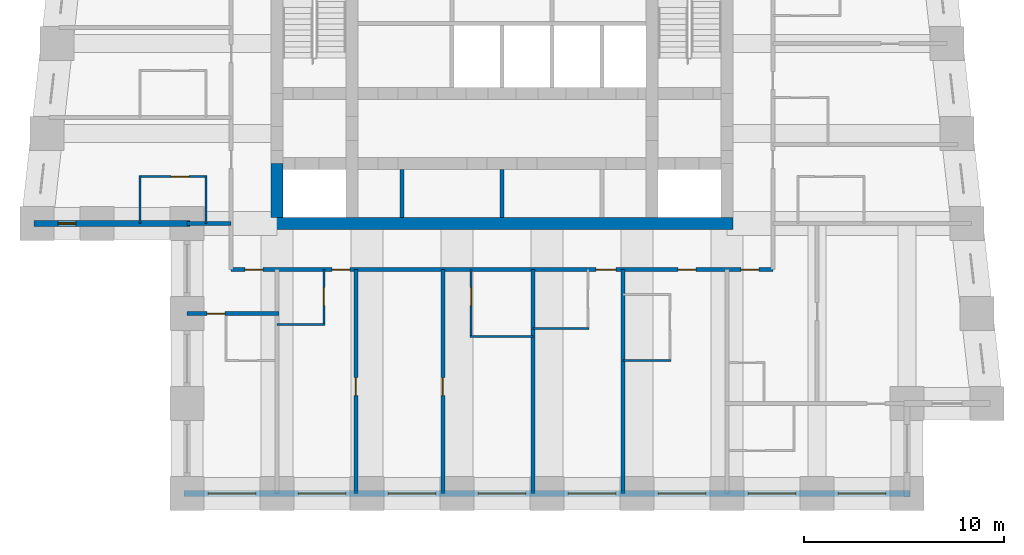
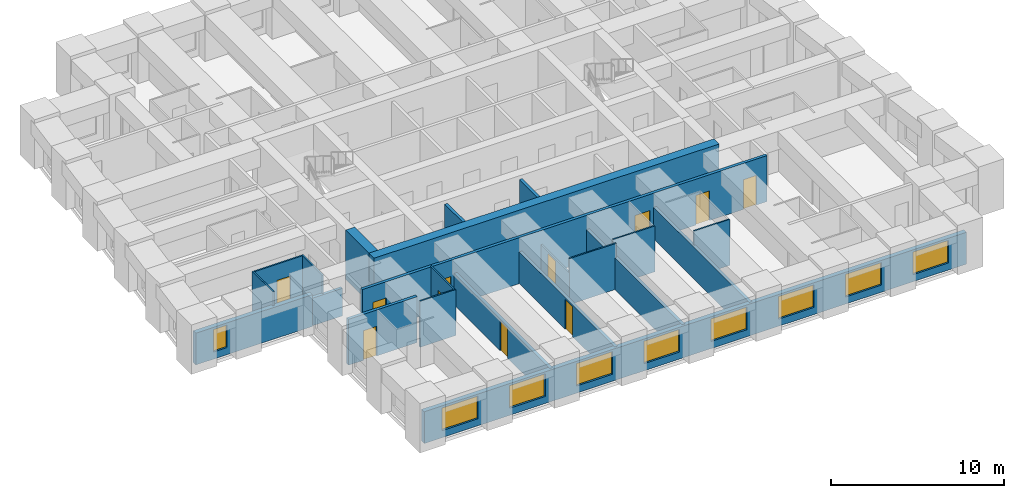
# One storey, part 2 of 8: 22 walls, 11 doors, 9 windows, 20 openings.
"""IFC4 building model written with IfcOpenShell, lengths in metres."""

from ifc_helpers import new_model, si_unit, direction, frame, frame_2d, origin, place, context, subcontext, project, spatial, rectangle, extrude, material, layer, layer_set, type_object, element, fill, save


model = new_model("IFC4")

# Units and contexts
model_context = context("Model", 3, precision=1e-05, world=origin(), true_north=direction((0.0, 1.0)))
body_context = subcontext(model_context, "Body", "Model", "MODEL_VIEW")
ifc_project = project(units=[si_unit("LENGTHUNIT", "METRE"), si_unit("AREAUNIT", "SQUARE_METRE"), si_unit("VOLUMEUNIT", "CUBIC_METRE"), si_unit("PLANEANGLEUNIT", "RADIAN"), si_unit("MASSUNIT", "GRAM", prefix="KILO")], contexts=[model_context])

# Site, building, storey
site_placement = place(None, origin())
site = spatial("IfcSite", under=ifc_project, at=site_placement, CompositionType="ELEMENT")
building_placement = place(site_placement, origin())
building = spatial("IfcBuilding", under=site, at=building_placement, Name="Kilele Tower Hotel", CompositionType="ELEMENT")
storey_placement = place(building_placement, frame((0.0, 0.0, 193.89990234375)))
storey = spatial("IfcBuildingStorey", under=building, at=storey_placement, Name="L50", CompositionType="ELEMENT", Elevation=193.89990234375)

# Wall
ifc_material_1 = material(Name="Moisture-resistant board")
ifc_layer_1 = layer(ifc_material_1, 0.10009765625)
ifc_layer_set_1 = layer_set([ifc_layer_1], Name="Moisture-resistant board")
wall_type_1 = type_object("IfcWallType", Name="Bathroom partition 100", PredefinedType="PLUMBINGWALL", material=ifc_layer_set_1)
wall_1_placement = place(storey_placement, frame((13.5, 8.449951171875, 0.0), z_axis=(0.0, 0.0, 1.0), x_axis=(1.0, 0.0, 0.0)))
element("IfcWall", 1, at=wall_1_placement, inside=storey, type_object=wall_type_1, Name="Bathroom partition 100 L50", PredefinedType="PLUMBINGWALL", context=body_context, shape_type="SweptSolid", body=[
    extrude(rectangle(XDim=2.39990234375, YDim=0.10009765625, at=frame_2d((1.199951171875, 0.0))), origin(), (0.0, 0.0, 1.0), 3.25),
])

# Wall, opening, door
wall_2_placement = place(storey_placement, frame((15.85009765625, 11.199951171875, 0.0), z_axis=(0.0, 0.0, 1.0), x_axis=(0.0, -1.0, 0.0)))
wall_2 = element("IfcWall", 2, at=wall_2_placement, inside=storey, type_object=wall_type_1, Name="Bathroom partition 100 L50", PredefinedType="PLUMBINGWALL", context=body_context, shape_type="SweptSolid", body=[
    extrude(rectangle(XDim=2.800048828125, YDim=0.10009765625, at=frame_2d((1.39990234375, 0.0))), origin(), (0.0, 0.0, 1.0), 3.25),
])
opening_1_placement = place(wall_2_placement, frame((0.89990234375, 0.0, 0.0)))
opening_1 = element("IfcOpeningElement", 3, at=opening_1_placement, cuts=wall_2, Name="Opening D2A", PredefinedType="OPENING", context=body_context, shape_type="SweptSolid", body=[
    extrude(rectangle(XDim=0.89990234375, YDim=2.10009765625, at=frame_2d((0.449951171875, 1.050048828125))), frame((0.0, 0.06005859375, 0.0), z_axis=(0.0, -1.0, 0.0), x_axis=(1.0, 0.0, 0.0)), (0.0, 0.0, 1.0), 0.1201171875),
])
ifc_material_2 = material(Name="Timber door leaf in hardwood frame", Category="wood")
door_type_1 = type_object("IfcDoorType", Name="Bathroom door 900", OperationType="SINGLE_SWING_LEFT", PredefinedType="DOOR", material=ifc_material_2)
door_1_placement = place(opening_1_placement, origin())
door_1 = element("IfcDoor", 4, at=door_1_placement, inside=storey, type_object=door_type_1, Name="Bathroom door 5001B", OperationType="SINGLE_SWING_LEFT", OverallHeight=2.10009765625, OverallWidth=0.89990234375, PredefinedType="DOOR", context=body_context, shape_type="SweptSolid", body=[
    extrude(rectangle(XDim=0.89990234375, YDim=2.10009765625, at=frame_2d((0.449951171875, 1.050048828125))), frame((0.0, 0.02490234375, 0.0), z_axis=(0.0, -1.0, 0.0), x_axis=(1.0, 0.0, 0.0)), (0.0, 0.0, 1.0), 0.050048828125),
])
fill(opening_1, door_1)

# Wall
wall_3_placement = place(storey_placement, frame((23.14990234375, 7.85009765625, 0.0), z_axis=(0.0, 0.0, 1.0), x_axis=(1.0, 0.0, 0.0)))
element("IfcWall", 5, at=wall_3_placement, inside=storey, type_object=wall_type_1, Name="Bathroom partition 100 L50", PredefinedType="PLUMBINGWALL", context=body_context, shape_type="SweptSolid", body=[
    extrude(rectangle(XDim=3.150146484375, YDim=0.10009765625, at=frame_2d((1.5751953125, 0.0))), origin(), (0.0, 0.0, 1.0), 3.25),
])

# Wall, opening, door
wall_4_placement = place(storey_placement, frame((23.199951171875, 11.199951171875, 0.0), z_axis=(0.0, 0.0, 1.0), x_axis=(0.0, -1.0, 0.0)))
wall_4 = element("IfcWall", 6, at=wall_4_placement, inside=storey, type_object=wall_type_1, Name="Bathroom partition 100 L50", PredefinedType="PLUMBINGWALL", context=body_context, shape_type="SweptSolid", body=[
    extrude(rectangle(XDim=3.39990234375, YDim=0.10009765625, at=frame_2d((1.699951171875, 0.0))), origin(), (0.0, 0.0, 1.0), 2.25),
])
opening_2_placement = place(wall_4_placement, frame((1.7998046875, 0.0, 0.0), z_axis=(0.0, 0.0, 1.0), x_axis=(-1.0, 0.0, 0.0)))
opening_2 = element("IfcOpeningElement", 7, at=opening_2_placement, cuts=wall_4, Name="Opening D2A", PredefinedType="OPENING", context=body_context, shape_type="SweptSolid", body=[
    extrude(rectangle(XDim=0.89990234375, YDim=2.10009765625, at=frame_2d((0.449951171875, 1.050048828125))), frame((0.0, 0.06005859375, 0.0), z_axis=(0.0, -1.0, 0.0), x_axis=(1.0, 0.0, 0.0)), (0.0, 0.0, 1.0), 0.1201171875),
])
door_2_placement = place(opening_2_placement, origin())
door_2 = element("IfcDoor", 8, at=door_2_placement, inside=storey, type_object=door_type_1, Name="Bathroom door 5003B", OperationType="SINGLE_SWING_RIGHT", OverallHeight=2.10009765625, OverallWidth=0.89990234375, PredefinedType="DOOR", context=body_context, shape_type="SweptSolid", body=[
    extrude(rectangle(XDim=0.89990234375, YDim=2.10009765625, at=frame_2d((0.449951171875, 1.050048828125))), frame((0.0, 0.02490234375, 0.0), z_axis=(0.0, -1.0, 0.0), x_axis=(1.0, 0.0, 0.0)), (0.0, 0.0, 1.0), 0.050048828125),
])
fill(opening_2, door_2)

# Walls
wall_5_placement = place(storey_placement, frame((26.300048828125, 8.25, 0.0), z_axis=(0.0, 0.0, 1.0), x_axis=(1.0, 0.0, 0.0)))
element("IfcWall", 9, at=wall_5_placement, inside=storey, type_object=wall_type_1, Name="Bathroom partition 100 L50", PredefinedType="PLUMBINGWALL", context=body_context, shape_type="SweptSolid", body=[
    extrude(rectangle(XDim=2.800048828125, YDim=0.10009765625, at=frame_2d((1.39990234375, 0.0))), origin(), (0.0, 0.0, 1.0), 3.25),
])
for number, where, z_axis, x_axis, name in (
    (10, (30.800048828125, 6.64990234375, 0.0), (0.0, 0.0, 1.0), (1.0, 0.0, 0.0), "Bathroom partition 100 L50"),
    (11, (9.949951171875, 13.5, 0.0), (0.0, 0.0, 1.0), (0.0, 1.0, 0.0), "Bathroom partition 100 L50"),
    (12, (6.64990234375, 13.5, 0.0), (0.0, 0.0, 1.0), (0.0, 1.0, 0.0), "Bathroom partition 100 L50"),
):
    element("IfcWall", number, at=place(storey_placement, frame(where, z_axis=z_axis, x_axis=x_axis)), inside=storey, type_object=wall_type_1, Name=name, PredefinedType="PLUMBINGWALL", context=body_context, shape_type="SweptSolid", body=[
        extrude(rectangle(XDim=2.39990234375, YDim=0.10009765625, at=frame_2d((1.199951171875, 0.0))), origin(), (0.0, 0.0, 1.0), 3.25),
    ])

# Wall, opening, door
wall_6_placement = place(storey_placement, frame((10.0, 15.85009765625, 0.0), z_axis=(0.0, 0.0, 1.0), x_axis=(-1.0, 0.0, 0.0)))
wall_6 = element("IfcWall", 13, at=wall_6_placement, inside=storey, type_object=wall_type_1, Name="Bathroom partition 100 L50", PredefinedType="PLUMBINGWALL", context=body_context, shape_type="SweptSolid", body=[
    extrude(rectangle(XDim=3.39990234375, YDim=0.10009765625, at=frame_2d((1.699951171875, 0.0))), origin(), (0.0, 0.0, 1.0), 3.25),
])
opening_3_placement = place(wall_6_placement, frame((1.7998046875, 0.0, 0.0), z_axis=(0.0, 0.0, 1.0), x_axis=(-1.0, 0.0, 0.0)))
opening_3 = element("IfcOpeningElement", 14, at=opening_3_placement, cuts=wall_6, Name="Opening D2A", PredefinedType="OPENING", context=body_context, shape_type="SweptSolid", body=[
    extrude(rectangle(XDim=0.89990234375, YDim=2.10009765625, at=frame_2d((0.449951171875, 1.050048828125))), frame((0.0, 0.06005859375, 0.0), z_axis=(0.0, -1.0, 0.0), x_axis=(1.0, 0.0, 0.0)), (0.0, 0.0, 1.0), 0.1201171875),
])
door_3_placement = place(opening_3_placement, origin())
door_3 = element("IfcDoor", 15, at=door_3_placement, inside=storey, type_object=door_type_1, Name="Bathroom door 5014B", OperationType="SINGLE_SWING_RIGHT", OverallHeight=2.10009765625, OverallWidth=0.89990234375, PredefinedType="DOOR", context=body_context, shape_type="SweptSolid", body=[
    extrude(rectangle(XDim=0.89990234375, YDim=2.10009765625, at=frame_2d((0.449951171875, 1.050048828125))), frame((0.0, 0.02490234375, 0.0), z_axis=(0.0, -1.0, 0.0), x_axis=(1.0, 0.0, 0.0)), (0.0, 0.0, 1.0), 0.050048828125),
])
fill(opening_3, door_3)

# Walls
ifc_material_3 = material(Name="Concrete C70/85", Category="concrete")
ifc_layer_2 = layer(ifc_material_3, 0.60009765625)
ifc_layer_set_2 = layer_set([ifc_layer_2], Name="Concrete C70/85")
wall_type_2 = type_object("IfcWallType", Name="Core wall 600 C70/85", PredefinedType="SHEAR", material=ifc_layer_set_2)
wall_7_placement = place(storey_placement, frame((13.199951171875, 13.5, 0.0), z_axis=(0.0, 0.0, 1.0), x_axis=(1.0, 0.0, 0.0)))
element("IfcWall", 16, at=wall_7_placement, inside=storey, type_object=wall_type_2, Name="Core wall S L50", PredefinedType="SHEAR", context=body_context, shape_type="SweptSolid", body=[
    extrude(rectangle(XDim=23.10009765625, YDim=0.60009765625, at=frame_2d((11.550048828125, 0.0))), origin(), (0.0, 0.0, 1.0), 3.5),
])
wall_8_placement = place(storey_placement, frame((13.5, 16.5, 0.0), z_axis=(0.0, 0.0, 1.0), x_axis=(0.0, -1.0, 0.0)))
element("IfcWall", 17, at=wall_8_placement, inside=storey, type_object=wall_type_2, Name="Core wall W3 L50", PredefinedType="SHEAR", context=body_context, shape_type="SweptSolid", body=[
    extrude(rectangle(XDim=2.699951171875, YDim=0.60009765625, at=frame_2d((1.35009765625, 0.0))), origin(), (0.0, 0.0, 1.0), 3.5),
])

# Wall, openings, doors
ifc_material_4 = material(Name="Blockwork, plastered both sides", Category="masonry")
ifc_layer_3 = layer(ifc_material_4, 0.199951171875)
ifc_layer_set_3 = layer_set([ifc_layer_3], Name="Blockwork, plastered both sides")
wall_type_3 = type_object("IfcWallType", Name="Corridor wall 200", PredefinedType="PARTITIONING", material=ifc_layer_set_3)
wall_9_placement = place(storey_placement, frame((11.199951171875, 11.199951171875, 0.0), z_axis=(0.0, 0.0, 1.0), x_axis=(1.0, 0.0, 0.0)))
wall_9 = element("IfcWall", 18, at=wall_9_placement, inside=storey, type_object=wall_type_3, Name="Corridor wall 200 L50", PredefinedType="PARTITIONING", context=body_context, shape_type="SweptSolid", body=[
    extrude(rectangle(XDim=27.10009765625, YDim=0.199951171875, at=frame_2d((13.550048828125, 0.0))), origin(), (0.0, 0.0, 1.0), 3.25),
])
opening_4_placement = place(wall_9_placement, frame((5.949951171875, 0.0, 0.0), z_axis=(0.0, 0.0, 1.0), x_axis=(-1.0, 0.0, 0.0)))
opening_4 = element("IfcOpeningElement", 19, at=opening_4_placement, cuts=wall_9, Name="Opening D1", PredefinedType="OPENING", context=body_context, shape_type="SweptSolid", body=[
    extrude(rectangle(XDim=0.89990234375, YDim=2.10009765625, at=frame_2d((0.449951171875, 1.050048828125))), frame((0.0, 0.10986328125, 0.0), z_axis=(0.0, -1.0, 0.0), x_axis=(1.0, 0.0, 0.0)), (0.0, 0.0, 1.0), 0.219970703125),
])
opening_5_placement = place(wall_9_placement, frame((19.25, 0.0, 0.0), z_axis=(0.0, 0.0, 1.0), x_axis=(-1.0, 0.0, 0.0)))
opening_5 = element("IfcOpeningElement", 20, at=opening_5_placement, cuts=wall_9, Name="Opening D1A", PredefinedType="OPENING", context=body_context, shape_type="SweptSolid", body=[
    extrude(rectangle(XDim=1.0, YDim=2.10009765625, at=frame_2d((0.5, 1.050048828125))), frame((0.0, 0.10986328125, 0.0), z_axis=(0.0, -1.0, 0.0), x_axis=(1.0, 0.0, 0.0)), (0.0, 0.0, 1.0), 0.219970703125),
])
opening_6_placement = place(wall_9_placement, frame((23.25, 0.0, 0.0), z_axis=(0.0, 0.0, 1.0), x_axis=(-1.0, 0.0, 0.0)))
opening_6 = element("IfcOpeningElement", 21, at=opening_6_placement, cuts=wall_9, Name="Opening D1", PredefinedType="OPENING", context=body_context, shape_type="SweptSolid", body=[
    extrude(rectangle(XDim=0.89990234375, YDim=2.10009765625, at=frame_2d((0.449951171875, 1.050048828125))), frame((0.0, 0.10986328125, 0.0), z_axis=(0.0, -1.0, 0.0), x_axis=(1.0, 0.0, 0.0)), (0.0, 0.0, 1.0), 0.219970703125),
])
opening_7_placement = place(wall_9_placement, frame((1.599853515625, 0.0, 0.0), z_axis=(0.0, 0.0, 1.0), x_axis=(-1.0, 0.0, 0.0)))
opening_7 = element("IfcOpeningElement", 22, at=opening_7_placement, cuts=wall_9, Name="Opening D1", PredefinedType="OPENING", context=body_context, shape_type="SweptSolid", body=[
    extrude(rectangle(XDim=0.89990234375, YDim=2.10009765625, at=frame_2d((0.449951171875, 1.050048828125))), frame((0.0, 0.10986328125, 0.0), z_axis=(0.0, -1.0, 0.0), x_axis=(1.0, 0.0, 0.0)), (0.0, 0.0, 1.0), 0.219970703125),
])
opening_8_placement = place(wall_9_placement, frame((26.39990234375, 0.0, 0.0), z_axis=(0.0, 0.0, 1.0), x_axis=(-1.0, 0.0, 0.0)))
opening_8 = element("IfcOpeningElement", 23, at=opening_8_placement, cuts=wall_9, Name="Opening D1", PredefinedType="OPENING", context=body_context, shape_type="SweptSolid", body=[
    extrude(rectangle(XDim=0.89990234375, YDim=2.10009765625, at=frame_2d((0.449951171875, 1.050048828125))), frame((0.0, 0.10986328125, 0.0), z_axis=(0.0, -1.0, 0.0), x_axis=(1.0, 0.0, 0.0)), (0.0, 0.0, 1.0), 0.219970703125),
])
ifc_material_5 = material(Name="Timber door leaf in hardwood frame", Category="wood")
door_type_2 = type_object("IfcDoorType", Name="Guest room entrance door 1000", OperationType="SINGLE_SWING_LEFT", PredefinedType="DOOR", material=ifc_material_5)
door_4_placement = place(opening_5_placement, origin())
door_4 = element("IfcDoor", 24, at=door_4_placement, inside=storey, type_object=door_type_2, Name="Room entrance 5004", OperationType="SINGLE_SWING_LEFT", OverallHeight=2.10009765625, OverallWidth=1.0, PredefinedType="DOOR", context=body_context, shape_type="SweptSolid", body=[
    extrude(rectangle(XDim=1.0, YDim=2.10009765625, at=frame_2d((0.5, 1.050048828125))), frame((0.0, 0.02490234375, 0.0), z_axis=(0.0, -1.0, 0.0), x_axis=(1.0, 0.0, 0.0)), (0.0, 0.0, 1.0), 0.050048828125),
])
fill(opening_5, door_4)
ifc_material_6 = material(Name="Timber door leaf in hardwood frame", Category="wood")
door_type_3 = type_object("IfcDoorType", Name="Guest room entrance door 900", OperationType="SINGLE_SWING_LEFT", PredefinedType="DOOR", material=ifc_material_6)
door_5_placement = place(opening_4_placement, origin())
door_5 = element("IfcDoor", 25, at=door_5_placement, inside=storey, type_object=door_type_3, Name="Room entrance 5001", OperationType="SINGLE_SWING_LEFT", OverallHeight=2.10009765625, OverallWidth=0.89990234375, PredefinedType="DOOR", context=body_context, shape_type="SweptSolid", body=[
    extrude(rectangle(XDim=0.89990234375, YDim=2.10009765625, at=frame_2d((0.449951171875, 1.050048828125))), frame((0.0, 0.02490234375, 0.0), z_axis=(0.0, -1.0, 0.0), x_axis=(1.0, 0.0, 0.0)), (0.0, 0.0, 1.0), 0.050048828125),
])
fill(opening_4, door_5)
door_6_placement = place(opening_6_placement, origin())
door_6 = element("IfcDoor", 26, at=door_6_placement, inside=storey, type_object=door_type_3, Name="Room entrance 5005", OperationType="SINGLE_SWING_LEFT", OverallHeight=2.10009765625, OverallWidth=0.89990234375, PredefinedType="DOOR", context=body_context, shape_type="SweptSolid", body=[
    extrude(rectangle(XDim=0.89990234375, YDim=2.10009765625, at=frame_2d((0.449951171875, 1.050048828125))), frame((0.0, 0.02490234375, 0.0), z_axis=(0.0, -1.0, 0.0), x_axis=(1.0, 0.0, 0.0)), (0.0, 0.0, 1.0), 0.050048828125),
])
fill(opening_6, door_6)
door_7_placement = place(opening_7_placement, origin())
door_7 = element("IfcDoor", 27, at=door_7_placement, inside=storey, type_object=door_type_3, Name="Room entrance 5017", OperationType="SINGLE_SWING_LEFT", OverallHeight=2.10009765625, OverallWidth=0.89990234375, PredefinedType="DOOR", context=body_context, shape_type="SweptSolid", body=[
    extrude(rectangle(XDim=0.89990234375, YDim=2.10009765625, at=frame_2d((0.449951171875, 1.050048828125))), frame((0.0, 0.02490234375, 0.0), z_axis=(0.0, -1.0, 0.0), x_axis=(1.0, 0.0, 0.0)), (0.0, 0.0, 1.0), 0.050048828125),
])
fill(opening_7, door_7)
door_8_placement = place(opening_8_placement, origin())
door_8 = element("IfcDoor", 28, at=door_8_placement, inside=storey, type_object=door_type_3, Name="Room entrance 5019", OperationType="SINGLE_SWING_RIGHT", OverallHeight=2.10009765625, OverallWidth=0.89990234375, PredefinedType="DOOR", context=body_context, shape_type="SweptSolid", body=[
    extrude(rectangle(XDim=0.89990234375, YDim=2.10009765625, at=frame_2d((0.449951171875, 1.050048828125))), frame((0.0, 0.02490234375, 0.0), z_axis=(0.0, -1.0, 0.0), x_axis=(1.0, 0.0, 0.0)), (0.0, 0.0, 1.0), 0.050048828125),
])
fill(opening_8, door_8)

# Wall, opening, door
ifc_material_7 = material(Name="Blockwork, plastered both sides", Category="masonry")
ifc_layer_4 = layer(ifc_material_7, 0.199951171875)
ifc_layer_set_4 = layer_set([ifc_layer_4], Name="Blockwork, plastered both sides")
wall_type_4 = type_object("IfcWallType", Name="Party wall 200", PredefinedType="PARTITIONING", material=ifc_layer_set_4)
wall_10_placement = place(storey_placement, frame((17.449951171875, 11.199951171875, 0.0), z_axis=(0.0, 0.0, 1.0), x_axis=(0.0, -1.0, 0.0)))
wall_10 = element("IfcWall", 29, at=wall_10_placement, inside=storey, type_object=wall_type_4, Name="Party wall 200 L50", PredefinedType="PARTITIONING", context=body_context, shape_type="SweptSolid", body=[
    extrude(rectangle(XDim=11.199951171875, YDim=0.199951171875, at=frame_2d((5.60009765625, 0.0))), origin(), (0.0, 0.0, 1.0), 2.25),
])
opening_9_placement = place(wall_10_placement, frame((5.39990234375, 0.0, 0.0)))
opening_9 = element("IfcOpeningElement", 30, at=opening_9_placement, cuts=wall_10, Name="Opening D3", PredefinedType="OPENING", context=body_context, shape_type="SweptSolid", body=[
    extrude(rectangle(XDim=0.89990234375, YDim=2.10009765625, at=frame_2d((0.449951171875, 1.050048828125))), frame((0.0, 0.10986328125, 0.0), z_axis=(0.0, -1.0, 0.0), x_axis=(1.0, 0.0, 0.0)), (0.0, 0.0, 1.0), 0.219970703125),
])
ifc_material_8 = material(Name="Timber door leaf in hardwood frame", Category="wood")
door_type_4 = type_object("IfcDoorType", Name="Suite internal door 900", OperationType="SINGLE_SWING_LEFT", PredefinedType="DOOR", material=ifc_material_8)
door_9_placement = place(opening_9_placement, origin())
door_9 = element("IfcDoor", 31, at=door_9_placement, inside=storey, type_object=door_type_4, Name="Suite door 5002", OperationType="SINGLE_SWING_RIGHT", OverallHeight=2.10009765625, OverallWidth=0.89990234375, PredefinedType="DOOR", context=body_context, shape_type="SweptSolid", body=[
    extrude(rectangle(XDim=0.89990234375, YDim=2.10009765625, at=frame_2d((0.449951171875, 1.050048828125))), frame((0.0, 0.02490234375, 0.0), z_axis=(0.0, -1.0, 0.0), x_axis=(1.0, 0.0, 0.0)), (0.0, 0.0, 1.0), 0.050048828125),
])
fill(opening_9, door_9)

wall_11_placement = place(storey_placement, frame((21.800048828125, 11.199951171875, 0.0), z_axis=(0.0, 0.0, 1.0), x_axis=(0.0, -1.0, 0.0)))
wall_11 = element("IfcWall", 32, at=wall_11_placement, inside=storey, type_object=wall_type_4, Name="Party wall 200 L50", PredefinedType="PARTITIONING", context=body_context, shape_type="SweptSolid", body=[
    extrude(rectangle(XDim=11.199951171875, YDim=0.199951171875, at=frame_2d((5.60009765625, 0.0))), origin(), (0.0, 0.0, 1.0), 2.25),
])
opening_10_placement = place(wall_11_placement, frame((5.39990234375, 0.0, 0.0)))
opening_10 = element("IfcOpeningElement", 33, at=opening_10_placement, cuts=wall_11, Name="Opening D3", PredefinedType="OPENING", context=body_context, shape_type="SweptSolid", body=[
    extrude(rectangle(XDim=0.89990234375, YDim=2.10009765625, at=frame_2d((0.449951171875, 1.050048828125))), frame((0.0, 0.10986328125, 0.0), z_axis=(0.0, -1.0, 0.0), x_axis=(1.0, 0.0, 0.0)), (0.0, 0.0, 1.0), 0.219970703125),
])
door_10_placement = place(opening_10_placement, origin())
door_10 = element("IfcDoor", 34, at=door_10_placement, inside=storey, type_object=door_type_4, Name="Suite door 5003", OperationType="SINGLE_SWING_RIGHT", OverallHeight=2.10009765625, OverallWidth=0.89990234375, PredefinedType="DOOR", context=body_context, shape_type="SweptSolid", body=[
    extrude(rectangle(XDim=0.89990234375, YDim=2.10009765625, at=frame_2d((0.449951171875, 1.050048828125))), frame((0.0, 0.02490234375, 0.0), z_axis=(0.0, -1.0, 0.0), x_axis=(1.0, 0.0, 0.0)), (0.0, 0.0, 1.0), 0.050048828125),
])
fill(opening_10, door_10)

# Walls
for number, where, z_axis, x_axis, name in (
    (35, (26.300048828125, 11.199951171875, 0.0), (0.0, 0.0, 1.0), (0.0, -1.0, 0.0), "Party wall 200 L50"),
    (36, (30.800048828125, 11.199951171875, 0.0), (0.0, 0.0, 1.0), (0.0, -1.0, 0.0), "Party wall 200 L50"),
):
    element("IfcWall", number, at=place(storey_placement, frame(where, z_axis=z_axis, x_axis=x_axis)), inside=storey, type_object=wall_type_4, Name=name, PredefinedType="PARTITIONING", context=body_context, shape_type="SweptSolid", body=[
        extrude(rectangle(XDim=11.199951171875, YDim=0.199951171875, at=frame_2d((5.60009765625, 0.0))), origin(), (0.0, 0.0, 1.0), 2.25),
    ])
wall_12_placement = place(storey_placement, frame((11.199951171875, 13.5, 0.0), z_axis=(0.0, 0.0, 1.0), x_axis=(-1.0, 0.0, 0.0)))
element("IfcWall", 37, at=wall_12_placement, inside=storey, type_object=wall_type_4, Name="Party wall 200 L50", PredefinedType="PARTITIONING", context=body_context, shape_type="SweptSolid", body=[
    extrude(rectangle(XDim=2.199951171875, YDim=0.199951171875, at=frame_2d((1.10009765625, 0.0))), origin(), (0.0, 0.0, 1.0), 1.9501953125),
])

# Wall, opening, door
wall_13_placement = place(storey_placement, frame((13.60009765625, 9.0, 0.0), z_axis=(0.0, 0.0, 1.0), x_axis=(-1.0, 0.0, 0.0)))
wall_13 = element("IfcWall", 38, at=wall_13_placement, inside=storey, type_object=wall_type_4, Name="Party wall 200 L50", PredefinedType="PARTITIONING", context=body_context, shape_type="SweptSolid", body=[
    extrude(rectangle(XDim=4.60009765625, YDim=0.199951171875, at=frame_2d((2.300048828125, 0.0))), origin(), (0.0, 0.0, 1.0), 3.25),
])
opening_11_placement = place(wall_13_placement, frame((2.699951171875, 0.0, 0.0)))
opening_11 = element("IfcOpeningElement", 39, at=opening_11_placement, cuts=wall_13, Name="Opening D3", PredefinedType="OPENING", context=body_context, shape_type="SweptSolid", body=[
    extrude(rectangle(XDim=0.89990234375, YDim=2.10009765625, at=frame_2d((0.449951171875, 1.050048828125))), frame((0.0, 0.10986328125, 0.0), z_axis=(0.0, -1.0, 0.0), x_axis=(1.0, 0.0, 0.0)), (0.0, 0.0, 1.0), 0.219970703125),
])
door_11_placement = place(opening_11_placement, origin())
door_11 = element("IfcDoor", 40, at=door_11_placement, inside=storey, type_object=door_type_4, Name="Suite door 5018", OperationType="SINGLE_SWING_LEFT", OverallHeight=2.10009765625, OverallWidth=0.89990234375, PredefinedType="DOOR", context=body_context, shape_type="SweptSolid", body=[
    extrude(rectangle(XDim=0.89990234375, YDim=2.10009765625, at=frame_2d((0.449951171875, 1.050048828125))), frame((0.0, 0.02490234375, 0.0), z_axis=(0.0, -1.0, 0.0), x_axis=(1.0, 0.0, 0.0)), (0.0, 0.0, 1.0), 0.050048828125),
])
fill(opening_11, door_11)

# Wall, opening, window
ifc_material_9 = material(Name="Concrete C40/50 precast", Category="concrete")
ifc_layer_5 = layer(ifc_material_9, 0.260009765625, Name="Precast backing", Category="LoadBearing")
ifc_material_10 = material(Name="Reconstituted stone finish", Category="masonry")
ifc_layer_6 = layer(ifc_material_10, 0.0400390625, Name="Face mix", Category="Finish")
ifc_layer_set_5 = layer_set([ifc_layer_5, ifc_layer_6], Name="Precast concrete C40/50, reconstituted stone finish")
wall_type_5 = type_object("IfcWallType", Name="Precast stone facade wall 300", PredefinedType="STANDARD", material=ifc_layer_set_5)
wall_14_placement = place(storey_placement, frame((1.35009765625, 13.5, 0.0), z_axis=(0.0, 0.0, 1.0), x_axis=(1.0, 0.0, 0.0)))
wall_14 = element("IfcWall", 41, at=wall_14_placement, inside=storey, type_object=wall_type_5, Name="Facade wall L50 edge 1", PredefinedType="STANDARD", context=body_context, shape_type="SweptSolid", body=[
    extrude(rectangle(XDim=7.7998046875, YDim=0.300048828125, at=frame_2d((3.89990234375, 0.0))), origin(), (0.0, 0.0, 1.0), 2.25),
])
opening_12_placement = place(wall_14_placement, frame((1.199951171875, 0.0, 0.5)))
opening_12 = element("IfcOpeningElement", 42, at=opening_12_placement, cuts=wall_14, Name="Opening W3", PredefinedType="OPENING", context=body_context, shape_type="SweptSolid", body=[
    extrude(rectangle(XDim=0.89990234375, YDim=1.60009765625, at=frame_2d((0.449951171875, 0.800048828125))), frame((0.0, 0.159912109375, 0.0), z_axis=(0.0, -1.0, 0.0), x_axis=(1.0, 0.0, 0.0)), (0.0, 0.0, 1.0), 0.320068359375),
])
ifc_material_11 = material(Name="Aluminium frame, clear double glazing", Category="aluminium")
window_type_1 = type_object("IfcWindowType", Name="Window W3 900 x 1600", PartitioningType="SINGLE_PANEL", PredefinedType="WINDOW", material=ifc_material_11)
window_1_placement = place(opening_12_placement, origin())
window_1 = element("IfcWindow", 43, at=window_1_placement, inside=storey, type_object=window_type_1, Name="Window L50", OverallHeight=1.60009765625, OverallWidth=0.89990234375, PartitioningType="SINGLE_PANEL", PredefinedType="WINDOW", context=body_context, shape_type="SweptSolid", body=[
    extrude(rectangle(XDim=0.89990234375, YDim=1.60009765625, at=frame_2d((0.449951171875, 0.800048828125))), frame((0.0, 0.030029296875, 0.0), z_axis=(0.0, -1.0, 0.0), x_axis=(1.0, 0.0, 0.0)), (0.0, 0.0, 1.0), 0.06005859375),
])
fill(opening_12, window_1)

# Wall, openings, windows
wall_15_placement = place(storey_placement, frame((8.85009765625, 0.0, 0.0), z_axis=(0.0, 0.0, 1.0), x_axis=(1.0, 0.0, 0.0)))
wall_15 = element("IfcWall", 44, at=wall_15_placement, inside=storey, type_object=wall_type_5, Name="Facade wall L50 edge 3", PredefinedType="STANDARD", context=body_context, shape_type="SweptSolid", body=[
    extrude(rectangle(XDim=36.2998046875, YDim=0.300048828125, at=frame_2d((18.14990234375, 0.0))), origin(), (0.0, 0.0, 1.0), 2.25),
])
opening_13_placement = place(wall_15_placement, frame((1.199951171875, 0.0, 0.5)))
opening_13 = element("IfcOpeningElement", 45, at=opening_13_placement, cuts=wall_15, Name="Opening W3", PredefinedType="OPENING", context=body_context, shape_type="SweptSolid", body=[
    extrude(rectangle(XDim=2.39990234375, YDim=1.60009765625, at=frame_2d((1.199951171875, 0.800048828125))), frame((0.0, 0.159912109375, 0.0), z_axis=(0.0, -1.0, 0.0), x_axis=(1.0, 0.0, 0.0)), (0.0, 0.0, 1.0), 0.320068359375),
])
opening_14_placement = place(wall_15_placement, frame((5.699951171875, 0.0, 0.5)))
opening_14 = element("IfcOpeningElement", 46, at=opening_14_placement, cuts=wall_15, Name="Opening W3", PredefinedType="OPENING", context=body_context, shape_type="SweptSolid", body=[
    extrude(rectangle(XDim=2.39990234375, YDim=1.60009765625, at=frame_2d((1.199951171875, 0.800048828125))), frame((0.0, 0.159912109375, 0.0), z_axis=(0.0, -1.0, 0.0), x_axis=(1.0, 0.0, 0.0)), (0.0, 0.0, 1.0), 0.320068359375),
])
opening_15_placement = place(wall_15_placement, frame((10.199951171875, 0.0, 0.5)))
opening_15 = element("IfcOpeningElement", 47, at=opening_15_placement, cuts=wall_15, Name="Opening W3", PredefinedType="OPENING", context=body_context, shape_type="SweptSolid", body=[
    extrude(rectangle(XDim=2.39990234375, YDim=1.60009765625, at=frame_2d((1.199951171875, 0.800048828125))), frame((0.0, 0.159912109375, 0.0), z_axis=(0.0, -1.0, 0.0), x_axis=(1.0, 0.0, 0.0)), (0.0, 0.0, 1.0), 0.320068359375),
])
opening_16_placement = place(wall_15_placement, frame((14.699951171875, 0.0, 0.5)))
opening_16 = element("IfcOpeningElement", 48, at=opening_16_placement, cuts=wall_15, Name="Opening W3", PredefinedType="OPENING", context=body_context, shape_type="SweptSolid", body=[
    extrude(rectangle(XDim=2.39990234375, YDim=1.60009765625, at=frame_2d((1.199951171875, 0.800048828125))), frame((0.0, 0.159912109375, 0.0), z_axis=(0.0, -1.0, 0.0), x_axis=(1.0, 0.0, 0.0)), (0.0, 0.0, 1.0), 0.320068359375),
])
opening_17_placement = place(wall_15_placement, frame((19.199951171875, 0.0, 0.5)))
opening_17 = element("IfcOpeningElement", 49, at=opening_17_placement, cuts=wall_15, Name="Opening W3", PredefinedType="OPENING", context=body_context, shape_type="SweptSolid", body=[
    extrude(rectangle(XDim=2.39990234375, YDim=1.60009765625, at=frame_2d((1.199951171875, 0.800048828125))), frame((0.0, 0.159912109375, 0.0), z_axis=(0.0, -1.0, 0.0), x_axis=(1.0, 0.0, 0.0)), (0.0, 0.0, 1.0), 0.320068359375),
])
opening_18_placement = place(wall_15_placement, frame((23.699951171875, 0.0, 0.5)))
opening_18 = element("IfcOpeningElement", 50, at=opening_18_placement, cuts=wall_15, Name="Opening W3", PredefinedType="OPENING", context=body_context, shape_type="SweptSolid", body=[
    extrude(rectangle(XDim=2.39990234375, YDim=1.60009765625, at=frame_2d((1.199951171875, 0.800048828125))), frame((0.0, 0.159912109375, 0.0), z_axis=(0.0, -1.0, 0.0), x_axis=(1.0, 0.0, 0.0)), (0.0, 0.0, 1.0), 0.320068359375),
])
opening_19_placement = place(wall_15_placement, frame((28.199951171875, 0.0, 0.5)))
opening_19 = element("IfcOpeningElement", 51, at=opening_19_placement, cuts=wall_15, Name="Opening W3", PredefinedType="OPENING", context=body_context, shape_type="SweptSolid", body=[
    extrude(rectangle(XDim=2.39990234375, YDim=1.60009765625, at=frame_2d((1.199951171875, 0.800048828125))), frame((0.0, 0.159912109375, 0.0), z_axis=(0.0, -1.0, 0.0), x_axis=(1.0, 0.0, 0.0)), (0.0, 0.0, 1.0), 0.320068359375),
])
opening_20_placement = place(wall_15_placement, frame((32.699951171875, 0.0, 0.5)))
opening_20 = element("IfcOpeningElement", 52, at=opening_20_placement, cuts=wall_15, Name="Opening W3", PredefinedType="OPENING", context=body_context, shape_type="SweptSolid", body=[
    extrude(rectangle(XDim=2.39990234375, YDim=1.60009765625, at=frame_2d((1.199951171875, 0.800048828125))), frame((0.0, 0.159912109375, 0.0), z_axis=(0.0, -1.0, 0.0), x_axis=(1.0, 0.0, 0.0)), (0.0, 0.0, 1.0), 0.320068359375),
])
ifc_material_12 = material(Name="Aluminium frame, clear double glazing", Category="aluminium")
window_type_2 = type_object("IfcWindowType", Name="Window W3 2400 x 1600", PartitioningType="SINGLE_PANEL", PredefinedType="WINDOW", material=ifc_material_12)
window_2_placement = place(opening_13_placement, origin())
window_2 = element("IfcWindow", 53, at=window_2_placement, inside=storey, type_object=window_type_2, Name="Window L50", OverallHeight=1.60009765625, OverallWidth=2.39990234375, PartitioningType="SINGLE_PANEL", PredefinedType="WINDOW", context=body_context, shape_type="SweptSolid", body=[
    extrude(rectangle(XDim=2.39990234375, YDim=1.60009765625, at=frame_2d((1.199951171875, 0.800048828125))), frame((0.0, 0.030029296875, 0.0), z_axis=(0.0, -1.0, 0.0), x_axis=(1.0, 0.0, 0.0)), (0.0, 0.0, 1.0), 0.06005859375),
])
fill(opening_13, window_2)
window_3_placement = place(opening_14_placement, origin())
window_3 = element("IfcWindow", 54, at=window_3_placement, inside=storey, type_object=window_type_2, Name="Window L50", OverallHeight=1.60009765625, OverallWidth=2.39990234375, PartitioningType="SINGLE_PANEL", PredefinedType="WINDOW", context=body_context, shape_type="SweptSolid", body=[
    extrude(rectangle(XDim=2.39990234375, YDim=1.60009765625, at=frame_2d((1.199951171875, 0.800048828125))), frame((0.0, 0.030029296875, 0.0), z_axis=(0.0, -1.0, 0.0), x_axis=(1.0, 0.0, 0.0)), (0.0, 0.0, 1.0), 0.06005859375),
])
fill(opening_14, window_3)
window_4_placement = place(opening_15_placement, origin())
window_4 = element("IfcWindow", 55, at=window_4_placement, inside=storey, type_object=window_type_2, Name="Window L50", OverallHeight=1.60009765625, OverallWidth=2.39990234375, PartitioningType="SINGLE_PANEL", PredefinedType="WINDOW", context=body_context, shape_type="SweptSolid", body=[
    extrude(rectangle(XDim=2.39990234375, YDim=1.60009765625, at=frame_2d((1.199951171875, 0.800048828125))), frame((0.0, 0.030029296875, 0.0), z_axis=(0.0, -1.0, 0.0), x_axis=(1.0, 0.0, 0.0)), (0.0, 0.0, 1.0), 0.06005859375),
])
fill(opening_15, window_4)
window_5_placement = place(opening_16_placement, origin())
window_5 = element("IfcWindow", 56, at=window_5_placement, inside=storey, type_object=window_type_2, Name="Window L50", OverallHeight=1.60009765625, OverallWidth=2.39990234375, PartitioningType="SINGLE_PANEL", PredefinedType="WINDOW", context=body_context, shape_type="SweptSolid", body=[
    extrude(rectangle(XDim=2.39990234375, YDim=1.60009765625, at=frame_2d((1.199951171875, 0.800048828125))), frame((0.0, 0.030029296875, 0.0), z_axis=(0.0, -1.0, 0.0), x_axis=(1.0, 0.0, 0.0)), (0.0, 0.0, 1.0), 0.06005859375),
])
fill(opening_16, window_5)
window_6_placement = place(opening_17_placement, origin())
window_6 = element("IfcWindow", 57, at=window_6_placement, inside=storey, type_object=window_type_2, Name="Window L50", OverallHeight=1.60009765625, OverallWidth=2.39990234375, PartitioningType="SINGLE_PANEL", PredefinedType="WINDOW", context=body_context, shape_type="SweptSolid", body=[
    extrude(rectangle(XDim=2.39990234375, YDim=1.60009765625, at=frame_2d((1.199951171875, 0.800048828125))), frame((0.0, 0.030029296875, 0.0), z_axis=(0.0, -1.0, 0.0), x_axis=(1.0, 0.0, 0.0)), (0.0, 0.0, 1.0), 0.06005859375),
])
fill(opening_17, window_6)
window_7_placement = place(opening_18_placement, origin())
window_7 = element("IfcWindow", 58, at=window_7_placement, inside=storey, type_object=window_type_2, Name="Window L50", OverallHeight=1.60009765625, OverallWidth=2.39990234375, PartitioningType="SINGLE_PANEL", PredefinedType="WINDOW", context=body_context, shape_type="SweptSolid", body=[
    extrude(rectangle(XDim=2.39990234375, YDim=1.60009765625, at=frame_2d((1.199951171875, 0.800048828125))), frame((0.0, 0.030029296875, 0.0), z_axis=(0.0, -1.0, 0.0), x_axis=(1.0, 0.0, 0.0)), (0.0, 0.0, 1.0), 0.06005859375),
])
fill(opening_18, window_7)
window_8_placement = place(opening_19_placement, origin())
window_8 = element("IfcWindow", 59, at=window_8_placement, inside=storey, type_object=window_type_2, Name="Window L50", OverallHeight=1.60009765625, OverallWidth=2.39990234375, PartitioningType="SINGLE_PANEL", PredefinedType="WINDOW", context=body_context, shape_type="SweptSolid", body=[
    extrude(rectangle(XDim=2.39990234375, YDim=1.60009765625, at=frame_2d((1.199951171875, 0.800048828125))), frame((0.0, 0.030029296875, 0.0), z_axis=(0.0, -1.0, 0.0), x_axis=(1.0, 0.0, 0.0)), (0.0, 0.0, 1.0), 0.06005859375),
])
fill(opening_19, window_8)
window_9_placement = place(opening_20_placement, origin())
window_9 = element("IfcWindow", 60, at=window_9_placement, inside=storey, type_object=window_type_2, Name="Window L50", OverallHeight=1.60009765625, OverallWidth=2.39990234375, PartitioningType="SINGLE_PANEL", PredefinedType="WINDOW", context=body_context, shape_type="SweptSolid", body=[
    extrude(rectangle(XDim=2.39990234375, YDim=1.60009765625, at=frame_2d((1.199951171875, 0.800048828125))), frame((0.0, 0.030029296875, 0.0), z_axis=(0.0, -1.0, 0.0), x_axis=(1.0, 0.0, 0.0)), (0.0, 0.0, 1.0), 0.06005859375),
])
fill(opening_20, window_9)

# Walls
ifc_material_13 = material(Name="Blockwork, fire-rated", Category="masonry")
ifc_layer_7 = layer(ifc_material_13, 0.199951171875)
ifc_layer_set_6 = layer_set([ifc_layer_7], Name="Blockwork, fire-rated")
wall_type_6 = type_object("IfcWallType", Name="Shaft wall 200", PredefinedType="PARTITIONING", material=ifc_layer_set_6)
for number, where, z_axis, x_axis, name in (
    (61, (19.75, 13.800048828125, 0.0), (0.0, 0.0, 1.0), (0.0, 1.0, 0.0), "Shaft wall 200 L50"),
    (62, (24.75, 13.800048828125, 0.0), (0.0, 0.0, 1.0), (0.0, 1.0, 0.0), "Shaft wall 200 L50"),
):
    element("IfcWall", number, at=place(storey_placement, frame(where, z_axis=z_axis, x_axis=x_axis)), inside=storey, type_object=wall_type_6, Name=name, PredefinedType="PARTITIONING", context=body_context, shape_type="SweptSolid", body=[
        extrude(rectangle(XDim=2.39990234375, YDim=0.199951171875, at=frame_2d((1.199951171875, 0.0))), origin(), (0.0, 0.0, 1.0), 3.25),
    ])

save(model, "model.ifc")
